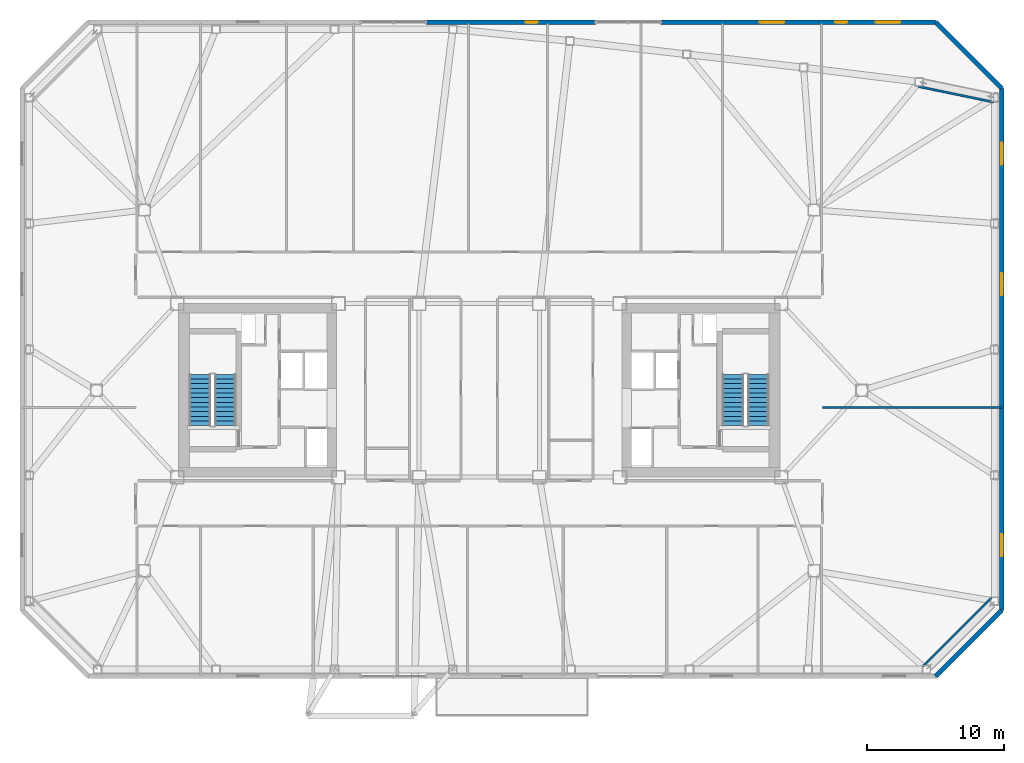
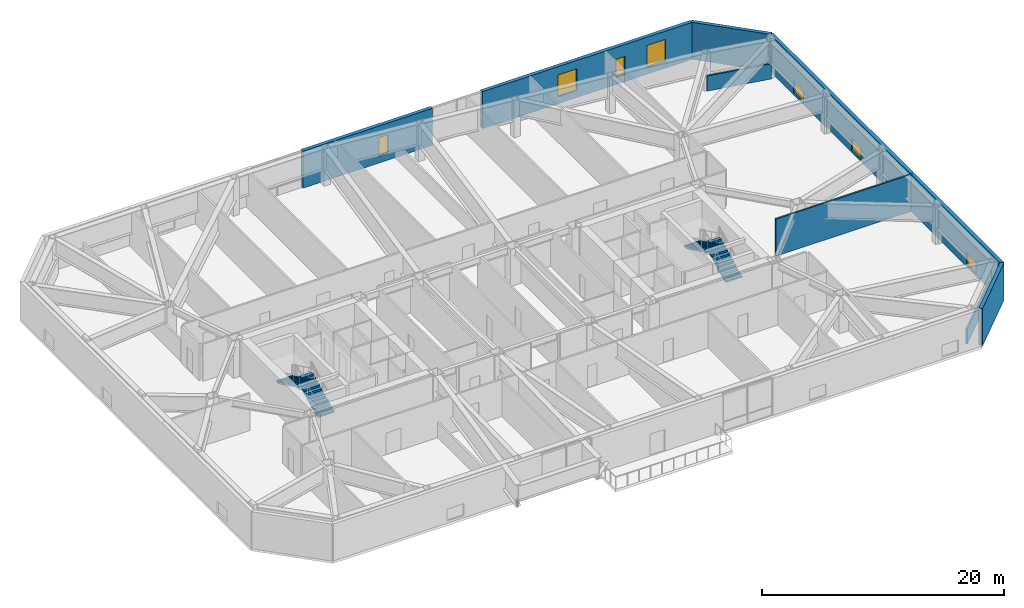
# One storey, part 13 of 18: 8 walls, 7 windows, 4 stair flights, 7 openings, 2 elements without a shape of their own.
"""IFC4 building model written with IfcOpenShell, lengths in metres."""

from ifc_helpers import new_model, si_unit, direction, frame, frame_2d, origin, place, context, subcontext, project, spatial, polyline, rectangle, outline, extrude, material, layer, layer_set, type_object, element, fill, aggregate, save


model = new_model("IFC4")

# Units and contexts
model_context = context("Model", 3, precision=1e-05, world=origin(), true_north=direction((0.0, 1.0)))
body_context = subcontext(model_context, "Body", "Model", "MODEL_VIEW")
ifc_project = project(units=[si_unit("LENGTHUNIT", "METRE"), si_unit("AREAUNIT", "SQUARE_METRE"), si_unit("VOLUMEUNIT", "CUBIC_METRE"), si_unit("PLANEANGLEUNIT", "RADIAN"), si_unit("MASSUNIT", "GRAM", prefix="KILO")], contexts=[model_context])

# Site, building, storey
site_placement = place(None, origin())
site = spatial("IfcSite", under=ifc_project, at=site_placement, CompositionType="ELEMENT")
building_placement = place(site_placement, origin())
building = spatial("IfcBuilding", under=site, at=building_placement, Name="Tavrogorsk Clinical Tower", CompositionType="ELEMENT")
storey_placement = place(building_placement, frame((0.0, 0.0, 152.199951171875)))
storey = spatial("IfcBuildingStorey", under=building, at=storey_placement, Name="L34", CompositionType="ELEMENT", Elevation=152.199951171875)

# Walls
ifc_material_1 = material(Name="Lightweight concrete blockwork B15", Category="masonry")
ifc_layer_1 = layer(ifc_material_1, 0.159912109375)
ifc_layer_set_1 = layer_set([ifc_layer_1], Name="Lightweight concrete blockwork B15")
wall_type_1 = type_object("IfcWallType", Name="PartitionWall_160", PredefinedType="PARTITIONING", material=ifc_layer_set_1)
wall_1_placement = place(storey_placement, frame((32.4794921875, -20.1796875, 0.0), z_axis=(0.0, 0.0, 1.0), x_axis=(0.707106781187, 0.707106781187, 0.0)))
element("IfcWall", 1, at=wall_1_placement, inside=storey, type_object=wall_type_1, Name="L34 Corner Exoskeleton Brace Furring Wall 1", PredefinedType="PARTITIONING", context=body_context, shape_type="SweptSolid", body=[
    extrude(rectangle(XDim=7.071044921875, YDim=0.159912109375, at=frame_2d((3.53564453125, 0.0))), origin(), (0.0, 0.0, 1.0), 1.53515625),
])
wall_2_placement = place(storey_placement, frame((37.65087890625, 21.0869140625, 0.0), z_axis=(0.0, 0.0, 1.0), x_axis=(-0.979184618318, 0.202971631636, 0.0)))
element("IfcWall", 2, at=wall_2_placement, inside=storey, type_object=wall_type_1, Name="L34 Corner Exoskeleton Brace Furring Wall 2", PredefinedType="PARTITIONING", context=body_context, shape_type="SweptSolid", body=[
    extrude(rectangle(XDim=5.64599609375, YDim=0.159912109375, at=frame_2d((2.822998046875, 0.0))), origin(), (0.0, 0.0, 1.0), 1.53515625),
])
wall_3_placement = place(storey_placement, frame((25.1298828125, -1.25, 0.0), z_axis=(0.0, 0.0, 1.0), x_axis=(1.0, 0.0, 0.0)))
element("IfcWall", 3, at=wall_3_placement, inside=storey, type_object=wall_type_1, Name="L34 E Wing Divider 1", PredefinedType="PARTITIONING", context=body_context, shape_type="SweptSolid", body=[
    extrude(rectangle(XDim=13.080078125, YDim=0.159912109375, at=frame_2d((6.5400390625, 0.0))), origin(), (0.0, 0.0, 1.0), 3.739990234375),
])

# Wall, openings, windows
ifc_material_2 = material(Name="Precast concrete B45 with limestone cladding", Category="masonry")
ifc_layer_2 = layer(ifc_material_2, 0.340087890625)
ifc_layer_set_2 = layer_set([ifc_layer_2], Name="Precast concrete B45 with limestone cladding")
wall_type_2 = type_object("IfcWallType", Name="PrecastLimestoneWall_340", PredefinedType="STANDARD", material=ifc_layer_set_2)
wall_4_placement = place(storey_placement, frame((33.39990234375, 26.929931640625, 0.0), z_axis=(0.0, 0.0, 1.0), x_axis=(-1.0, 0.0, 0.0)))
wall_4 = element("IfcWall", 4, at=wall_4_placement, inside=storey, type_object=wall_type_2, Name="L34 N Limestone Facade Wall 1", PredefinedType="STANDARD", context=body_context, shape_type="SweptSolid", body=[
    extrude(rectangle(XDim=20.08984375, YDim=0.340087890625, at=frame_2d((10.044921875, 0.0))), origin(), (0.0, 0.0, 1.0), 3.739990234375),
])
opening_1_placement = place(wall_4_placement, frame((11.0712890625, 0.0, 0.699951171875)))
opening_1 = element("IfcOpeningElement", 5, at=opening_1_placement, cuts=wall_4, Name="Opening WN-04", PredefinedType="OPENING", context=body_context, shape_type="SweptSolid", body=[
    extrude(rectangle(XDim=1.800048828125, YDim=2.199951171875, at=frame_2d((0.89990234375, 1.10009765625))), frame((0.0, 0.179931640625, 0.0), z_axis=(0.0, -1.0, 0.0), x_axis=(1.0, 0.0, 0.0)), (0.0, 0.0, 1.0), 0.360107421875),
])
opening_2_placement = place(wall_4_placement, frame((6.479736328125, 0.0, 0.699951171875)))
opening_2 = element("IfcOpeningElement", 6, at=opening_2_placement, cuts=wall_4, Name="Opening WN-06", PredefinedType="OPENING", context=body_context, shape_type="SweptSolid", body=[
    extrude(rectangle(XDim=0.85009765625, YDim=1.85009765625, at=frame_2d((0.425048828125, 0.925048828125))), frame((0.0, 0.179931640625, 0.0), z_axis=(0.0, -1.0, 0.0), x_axis=(1.0, 0.0, 0.0)), (0.0, 0.0, 1.0), 0.360107421875),
])
opening_3_placement = place(wall_4_placement, frame((2.591064453125, 0.0, 0.699951171875)))
opening_3 = element("IfcOpeningElement", 7, at=opening_3_placement, cuts=wall_4, Name="Opening WN-04", PredefinedType="OPENING", context=body_context, shape_type="SweptSolid", body=[
    extrude(rectangle(XDim=1.800048828125, YDim=2.199951171875, at=frame_2d((0.89990234375, 1.10009765625))), frame((0.0, 0.179931640625, 0.0), z_axis=(0.0, -1.0, 0.0), x_axis=(1.0, 0.0, 0.0)), (0.0, 0.0, 1.0), 0.360107421875),
])
ifc_material_3 = material(Name="Thermally broken aluminium frame and triple IGU", Category="aluminium")
window_type_1 = type_object("IfcWindowType", Name="IsolationWin_1800x2200", PartitioningType="SINGLE_PANEL", PredefinedType="WINDOW", material=ifc_material_3)
window_1_placement = place(opening_1_placement, origin())
window_1 = element("IfcWindow", 8, at=window_1_placement, inside=storey, type_object=window_type_1, Name="L34 N Chicago Window 08", OverallHeight=2.199951171875, OverallWidth=1.800048828125, PartitioningType="SINGLE_PANEL", PredefinedType="WINDOW", context=body_context, shape_type="SweptSolid", body=[
    extrude(rectangle(XDim=1.800048828125, YDim=2.199951171875, at=frame_2d((0.89990234375, 1.10009765625))), frame((0.0, 0.030029296875, 0.0), z_axis=(0.0, -1.0, 0.0), x_axis=(1.0, 0.0, 0.0)), (0.0, 0.0, 1.0), 0.06005859375),
])
fill(opening_1, window_1)
window_2_placement = place(opening_3_placement, origin())
window_2 = element("IfcWindow", 9, at=window_2_placement, inside=storey, type_object=window_type_1, Name="L34 N Chicago Window 10", OverallHeight=2.199951171875, OverallWidth=1.800048828125, PartitioningType="SINGLE_PANEL", PredefinedType="WINDOW", context=body_context, shape_type="SweptSolid", body=[
    extrude(rectangle(XDim=1.800048828125, YDim=2.199951171875, at=frame_2d((0.89990234375, 1.10009765625))), frame((0.0, 0.030029296875, 0.0), z_axis=(0.0, -1.0, 0.0), x_axis=(1.0, 0.0, 0.0)), (0.0, 0.0, 1.0), 0.06005859375),
])
fill(opening_3, window_2)
ifc_material_4 = material(Name="Thermally broken aluminium frame and triple IGU", Category="aluminium")
window_type_2 = type_object("IfcWindowType", Name="MullionSubWin_850x1850", PartitioningType="SINGLE_PANEL", PredefinedType="WINDOW", material=ifc_material_4)
window_3_placement = place(opening_2_placement, origin())
window_3 = element("IfcWindow", 10, at=window_3_placement, inside=storey, type_object=window_type_2, Name="L34 N Mullion Split Window 09A", OverallHeight=1.85009765625, OverallWidth=0.85009765625, PartitioningType="SINGLE_PANEL", PredefinedType="WINDOW", context=body_context, shape_type="SweptSolid", body=[
    extrude(rectangle(XDim=0.85009765625, YDim=1.85009765625, at=frame_2d((0.425048828125, 0.925048828125))), frame((0.0, 0.030029296875, 0.0), z_axis=(0.0, -1.0, 0.0), x_axis=(1.0, 0.0, 0.0)), (0.0, 0.0, 1.0), 0.06005859375),
])
fill(opening_2, window_3)

# Wall, opening, window
wall_5_placement = place(storey_placement, frame((8.510009765625, 26.929931640625, 0.0), z_axis=(0.0, 0.0, 1.0), x_axis=(-1.0, 0.0, 0.0)))
wall_5 = element("IfcWall", 11, at=wall_5_placement, inside=storey, type_object=wall_type_2, Name="L34 N Limestone Facade Wall 2", PredefinedType="STANDARD", context=body_context, shape_type="SweptSolid", body=[
    extrude(rectangle(XDim=12.372802734375, YDim=0.340087890625, at=frame_2d((6.1865234375, 0.0))), origin(), (0.0, 0.0, 1.0), 3.739990234375),
])
opening_4_placement = place(wall_5_placement, frame((4.238525390625, 0.0, 0.699951171875)))
opening_4 = element("IfcOpeningElement", 12, at=opening_4_placement, cuts=wall_5, Name="Opening WN-06", PredefinedType="OPENING", context=body_context, shape_type="SweptSolid", body=[
    extrude(rectangle(XDim=0.85009765625, YDim=1.85009765625, at=frame_2d((0.425048828125, 0.925048828125))), frame((0.0, 0.179931640625, 0.0), z_axis=(0.0, -1.0, 0.0), x_axis=(1.0, 0.0, 0.0)), (0.0, 0.0, 1.0), 0.360107421875),
])
window_4_placement = place(opening_4_placement, origin())
window_4 = element("IfcWindow", 13, at=window_4_placement, inside=storey, type_object=window_type_2, Name="L34 N Mullion Split Window 06B", OverallHeight=1.85009765625, OverallWidth=0.85009765625, PartitioningType="SINGLE_PANEL", PredefinedType="WINDOW", context=body_context, shape_type="SweptSolid", body=[
    extrude(rectangle(XDim=0.85009765625, YDim=1.85009765625, at=frame_2d((0.425048828125, 0.925048828125))), frame((0.0, 0.030029296875, 0.0), z_axis=(0.0, -1.0, 0.0), x_axis=(1.0, 0.0, 0.0)), (0.0, 0.0, 1.0), 0.06005859375),
])
fill(opening_4, window_4)

# Wall, openings, windows
wall_6_placement = place(storey_placement, frame((38.22998046875, -16.10009765625, 0.0), z_axis=(0.0, 0.0, 1.0), x_axis=(0.0, 1.0, 0.0)))
wall_6 = element("IfcWall", 14, at=wall_6_placement, inside=storey, type_object=wall_type_2, Name="L34 E Pleated Limestone Wing Wall", PredefinedType="STANDARD", context=body_context, shape_type="SweptSolid", body=[
    extrude(rectangle(XDim=38.2001953125, YDim=0.340087890625, at=frame_2d((19.10009765625, 0.0))), origin(), (0.0, 0.0, 1.0), 3.739990234375),
])
opening_5_placement = place(wall_6_placement, frame((3.97509765625, 0.0, 0.219970703125)))
opening_5 = element("IfcOpeningElement", 15, at=opening_5_placement, cuts=wall_6, Name="Opening WN-09", PredefinedType="OPENING", context=body_context, shape_type="SweptSolid", body=[
    extrude(rectangle(XDim=1.60009765625, YDim=1.199951171875, at=frame_2d((0.800048828125, 0.60009765625))), frame((0.0, 0.179931640625, 0.0), z_axis=(0.0, -1.0, 0.0), x_axis=(1.0, 0.0, 0.0)), (0.0, 0.0, 1.0), 0.360107421875),
])
opening_6_placement = place(wall_6_placement, frame((23.074951171875, 0.0, 0.219970703125)))
opening_6 = element("IfcOpeningElement", 16, at=opening_6_placement, cuts=wall_6, Name="Opening WN-09", PredefinedType="OPENING", context=body_context, shape_type="SweptSolid", body=[
    extrude(rectangle(XDim=1.60009765625, YDim=1.199951171875, at=frame_2d((0.800048828125, 0.60009765625))), frame((0.0, 0.179931640625, 0.0), z_axis=(0.0, -1.0, 0.0), x_axis=(1.0, 0.0, 0.0)), (0.0, 0.0, 1.0), 0.360107421875),
])
opening_7_placement = place(wall_6_placement, frame((32.625, 0.0, 0.219970703125)))
opening_7 = element("IfcOpeningElement", 17, at=opening_7_placement, cuts=wall_6, Name="Opening WN-09", PredefinedType="OPENING", context=body_context, shape_type="SweptSolid", body=[
    extrude(rectangle(XDim=1.60009765625, YDim=1.199951171875, at=frame_2d((0.800048828125, 0.60009765625))), frame((0.0, 0.179931640625, 0.0), z_axis=(0.0, -1.0, 0.0), x_axis=(1.0, 0.0, 0.0)), (0.0, 0.0, 1.0), 0.360107421875),
])
ifc_material_5 = material(Name="Thermally broken aluminium frame and triple IGU", Category="aluminium")
window_type_3 = type_object("IfcWindowType", Name="LowHeadTransWin_1600x1200", PartitioningType="DOUBLE_PANEL_VERTICAL", PredefinedType="WINDOW", material=ifc_material_5)
window_5_placement = place(opening_5_placement, origin())
window_5 = element("IfcWindow", 18, at=window_5_placement, inside=storey, type_object=window_type_3, Name="L34 E Pleat Slot Window 1", OverallHeight=1.199951171875, OverallWidth=1.60009765625, PartitioningType="SINGLE_PANEL", PredefinedType="WINDOW", context=body_context, shape_type="SweptSolid", body=[
    extrude(rectangle(XDim=1.60009765625, YDim=1.199951171875, at=frame_2d((0.800048828125, 0.60009765625))), frame((0.0, 0.030029296875, 0.0), z_axis=(0.0, -1.0, 0.0), x_axis=(1.0, 0.0, 0.0)), (0.0, 0.0, 1.0), 0.06005859375),
])
fill(opening_5, window_5)
window_6_placement = place(opening_6_placement, origin())
window_6 = element("IfcWindow", 19, at=window_6_placement, inside=storey, type_object=window_type_3, Name="L34 E Pleat Slot Window 3", OverallHeight=1.199951171875, OverallWidth=1.60009765625, PartitioningType="SINGLE_PANEL", PredefinedType="WINDOW", context=body_context, shape_type="SweptSolid", body=[
    extrude(rectangle(XDim=1.60009765625, YDim=1.199951171875, at=frame_2d((0.800048828125, 0.60009765625))), frame((0.0, 0.030029296875, 0.0), z_axis=(0.0, -1.0, 0.0), x_axis=(1.0, 0.0, 0.0)), (0.0, 0.0, 1.0), 0.06005859375),
])
fill(opening_6, window_6)
window_7_placement = place(opening_7_placement, origin())
window_7 = element("IfcWindow", 20, at=window_7_placement, inside=storey, type_object=window_type_3, Name="L34 E Pleat Slot Window 4", OverallHeight=1.199951171875, OverallWidth=1.60009765625, PartitioningType="SINGLE_PANEL", PredefinedType="WINDOW", context=body_context, shape_type="SweptSolid", body=[
    extrude(rectangle(XDim=1.60009765625, YDim=1.199951171875, at=frame_2d((0.800048828125, 0.60009765625))), frame((0.0, 0.030029296875, 0.0), z_axis=(0.0, -1.0, 0.0), x_axis=(1.0, 0.0, 0.0)), (0.0, 0.0, 1.0), 0.06005859375),
])
fill(opening_7, window_7)

# Walls
for number, where, z_axis, x_axis, name in (
    (21, (33.39990234375, -20.929931640625, 0.0), (0.0, 0.0, 1.0), (0.707124652085, 0.707088909836, 0.0), "L34 Chamfered Corner Wall 1"),
    (22, (38.22998046875, 22.10009765625, 0.0), (0.0, 0.0, 1.0), (-0.707124652085, 0.707088909836, 0.0), "L34 Chamfered Corner Wall 2"),
):
    element("IfcWall", number, at=place(storey_placement, frame(where, z_axis=z_axis, x_axis=x_axis)), inside=storey, type_object=wall_type_2, Name=name, PredefinedType="STANDARD", context=body_context, shape_type="SweptSolid", body=[
        extrude(rectangle(XDim=6.83056640625, YDim=0.340087890625, at=frame_2d((3.415283203125, 0.0))), origin(), (0.0, 0.0, 1.0), 3.739990234375),
    ])

# Stair, stair flights
ifc_material_6 = material(Name="Concrete B60", Category="concrete")
stair_type = type_object("IfcStairType", Name="CoreStairAssembly", PredefinedType="HALF_TURN_STAIR", material=ifc_material_6)
stair_1_placement = place(storey_placement, origin())
stair_1 = element("IfcStair", 23, at=stair_1_placement, inside=storey, type_object=stair_type, Name="L34 ST-W", PredefinedType="HALF_TURN_STAIR")
ifc_material_7 = material(Name="Concrete B60", Category="concrete")
stair_flight_type = type_object("IfcStairFlightType", Name="CoreStairFlight", PredefinedType="STRAIGHT", material=ifc_material_7)
stair_flight_1_placement = place(storey_placement, frame((-18.574951171875, -2.574951171875, 0.0), z_axis=(0.0, 0.0, 1.0), x_axis=(0.0, 1.0, 0.0)))
stair_flight_1 = element("IfcStairFlight", 24, at=stair_flight_1_placement, type_object=stair_flight_type, Name="ST-W flight 1", NumberOfRisers=12, NumberOfTreads=11, PredefinedType="STRAIGHT", RiserHeight=0.166666667, TreadLength=0.34, context=body_context, shape_type="SweptSolid", body=[
    extrude(outline(polyline([(0.0, 0.0), (0.0, 0.166748046875), (0.340087890625, 0.166748046875), (0.340087890625, 0.333251953125), (0.679931640625, 0.333251953125), (0.679931640625, 0.5), (1.02001953125, 0.5), (1.02001953125, 0.666748046875), (1.360107421875, 0.666748046875), (1.360107421875, 0.833251953125), (1.699951171875, 0.833251953125), (1.699951171875, 1.0), (2.0400390625, 1.0), (2.0400390625, 1.166748046875), (2.3798828125, 1.166748046875), (2.3798828125, 1.333251953125), (2.719970703125, 1.333251953125), (2.719970703125, 1.5), (3.06005859375, 1.5), (3.06005859375, 1.666748046875), (3.39990234375, 1.666748046875), (3.39990234375, 1.833251953125), (3.739990234375, 1.833251953125), (3.739990234375, 2.0), (3.739990234375, 1.66650390625), (0.340576171875, 0.0), (0.0, 0.0)])), frame((0.0, 0.77490234375, 0.0), z_axis=(0.0, -1.0, 0.0), x_axis=(1.0, 0.0, 0.0)), (0.0, 0.0, 1.0), 1.550048828125),
])
stair_flight_2_placement = place(storey_placement, frame((-20.425048828125, 1.1650390625, 2.0), z_axis=(0.0, 0.0, 1.0), x_axis=(0.0, -1.0, 0.0)))
stair_flight_2 = element("IfcStairFlight", 25, at=stair_flight_2_placement, type_object=stair_flight_type, Name="ST-W flight 2", NumberOfRisers=12, NumberOfTreads=11, PredefinedType="STRAIGHT", RiserHeight=0.166666667, TreadLength=0.34, context=body_context, shape_type="SweptSolid", body=[
    extrude(outline(polyline([(0.0, 0.0), (0.0, 0.166748046875), (0.340087890625, 0.166748046875), (0.340087890625, 0.333251953125), (0.679931640625, 0.333251953125), (0.679931640625, 0.5), (1.02001953125, 0.5), (1.02001953125, 0.666748046875), (1.360107421875, 0.666748046875), (1.360107421875, 0.833251953125), (1.699951171875, 0.833251953125), (1.699951171875, 1.0), (2.0400390625, 1.0), (2.0400390625, 1.166748046875), (2.3798828125, 1.166748046875), (2.3798828125, 1.333251953125), (2.719970703125, 1.333251953125), (2.719970703125, 1.5), (3.06005859375, 1.5), (3.06005859375, 1.666748046875), (3.39990234375, 1.666748046875), (3.39990234375, 1.833251953125), (3.739990234375, 1.833251953125), (3.739990234375, 2.0), (3.739990234375, 1.66650390625), (0.340576171875, 0.0), (0.0, 0.0)])), frame((0.0, 0.77490234375, 0.0), z_axis=(0.0, -1.0, 0.0), x_axis=(1.0, 0.0, 0.0)), (0.0, 0.0, 1.0), 1.550048828125),
])
aggregate(stair_1, [stair_flight_1, stair_flight_2])

stair_2_placement = place(storey_placement, origin())
stair_2 = element("IfcStair", 26, at=stair_2_placement, inside=storey, type_object=stair_type, Name="L34 ST-E", PredefinedType="HALF_TURN_STAIR")
stair_flight_3_placement = place(storey_placement, frame((20.425048828125, -2.574951171875, 0.0), z_axis=(0.0, 0.0, 1.0), x_axis=(0.0, 1.0, 0.0)))
stair_flight_3 = element("IfcStairFlight", 27, at=stair_flight_3_placement, type_object=stair_flight_type, Name="ST-E flight 1", NumberOfRisers=12, NumberOfTreads=11, PredefinedType="STRAIGHT", RiserHeight=0.166666667, TreadLength=0.34, context=body_context, shape_type="SweptSolid", body=[
    extrude(outline(polyline([(0.0, 0.0), (0.0, 0.166748046875), (0.340087890625, 0.166748046875), (0.340087890625, 0.333251953125), (0.679931640625, 0.333251953125), (0.679931640625, 0.5), (1.02001953125, 0.5), (1.02001953125, 0.666748046875), (1.360107421875, 0.666748046875), (1.360107421875, 0.833251953125), (1.699951171875, 0.833251953125), (1.699951171875, 1.0), (2.0400390625, 1.0), (2.0400390625, 1.166748046875), (2.3798828125, 1.166748046875), (2.3798828125, 1.333251953125), (2.719970703125, 1.333251953125), (2.719970703125, 1.5), (3.06005859375, 1.5), (3.06005859375, 1.666748046875), (3.39990234375, 1.666748046875), (3.39990234375, 1.833251953125), (3.739990234375, 1.833251953125), (3.739990234375, 2.0), (3.739990234375, 1.66650390625), (0.340576171875, 0.0), (0.0, 0.0)])), frame((0.0, 0.77490234375, 0.0), z_axis=(0.0, -1.0, 0.0), x_axis=(1.0, 0.0, 0.0)), (0.0, 0.0, 1.0), 1.550048828125),
])
stair_flight_4_placement = place(storey_placement, frame((18.574951171875, 1.1650390625, 2.0), z_axis=(0.0, 0.0, 1.0), x_axis=(0.0, -1.0, 0.0)))
stair_flight_4 = element("IfcStairFlight", 28, at=stair_flight_4_placement, type_object=stair_flight_type, Name="ST-E flight 2", NumberOfRisers=12, NumberOfTreads=11, PredefinedType="STRAIGHT", RiserHeight=0.166666667, TreadLength=0.34, context=body_context, shape_type="SweptSolid", body=[
    extrude(outline(polyline([(0.0, 0.0), (0.0, 0.166748046875), (0.340087890625, 0.166748046875), (0.340087890625, 0.333251953125), (0.679931640625, 0.333251953125), (0.679931640625, 0.5), (1.02001953125, 0.5), (1.02001953125, 0.666748046875), (1.360107421875, 0.666748046875), (1.360107421875, 0.833251953125), (1.699951171875, 0.833251953125), (1.699951171875, 1.0), (2.0400390625, 1.0), (2.0400390625, 1.166748046875), (2.3798828125, 1.166748046875), (2.3798828125, 1.333251953125), (2.719970703125, 1.333251953125), (2.719970703125, 1.5), (3.06005859375, 1.5), (3.06005859375, 1.666748046875), (3.39990234375, 1.666748046875), (3.39990234375, 1.833251953125), (3.739990234375, 1.833251953125), (3.739990234375, 2.0), (3.739990234375, 1.66650390625), (0.340576171875, 0.0), (0.0, 0.0)])), frame((0.0, 0.77490234375, 0.0), z_axis=(0.0, -1.0, 0.0), x_axis=(1.0, 0.0, 0.0)), (0.0, 0.0, 1.0), 1.550048828125),
])
aggregate(stair_2, [stair_flight_3, stair_flight_4])

save(model, "model.ifc")
